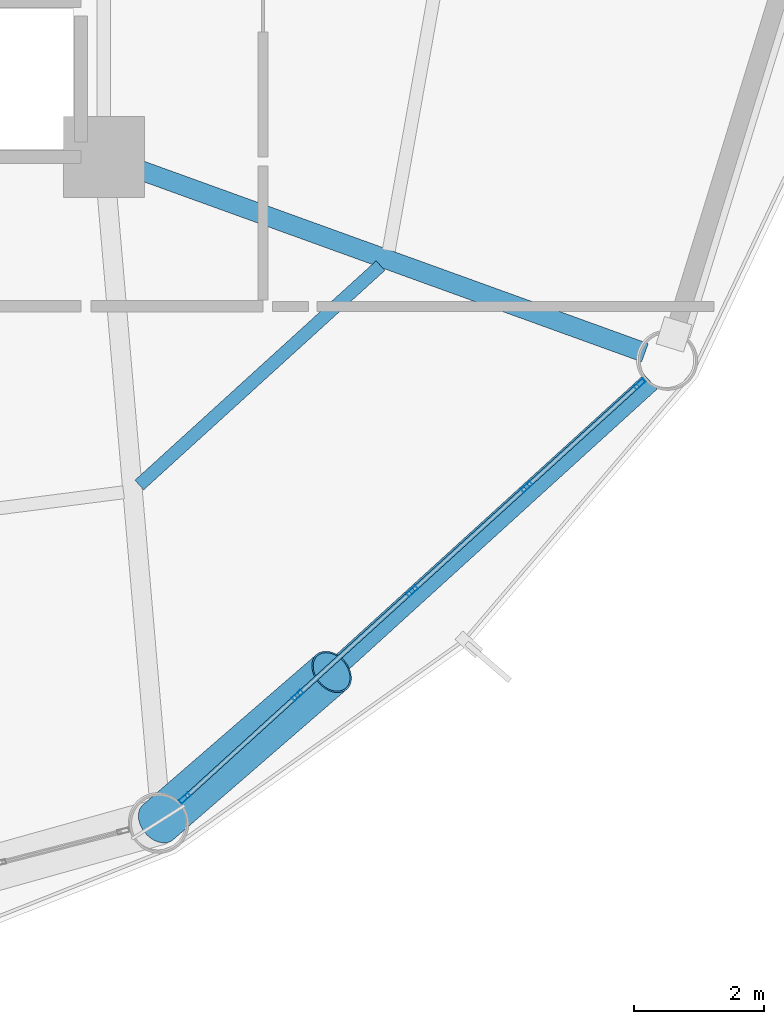
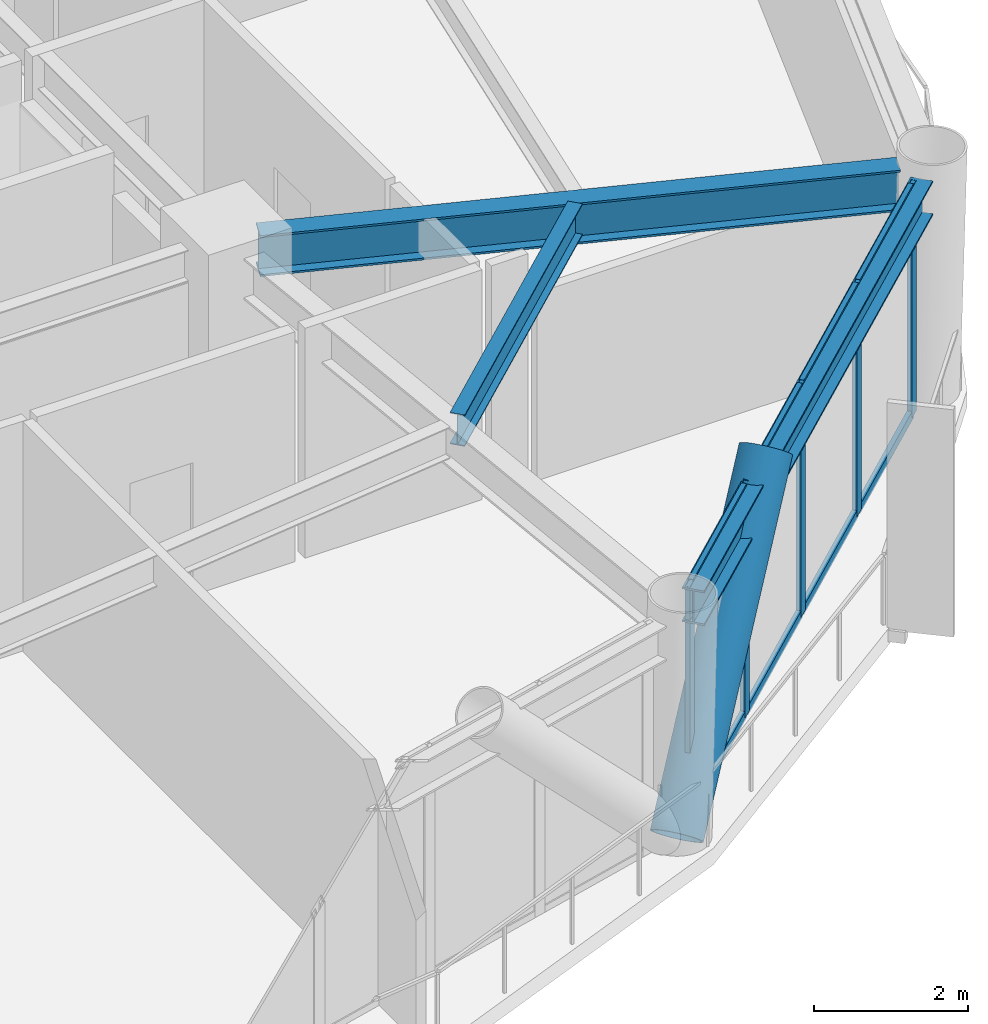
# One storey, part 12 of 25: 14 members, 3 beams, 1 element without a shape of its own.
"""IFC4 building model written with IfcOpenShell, lengths in metres."""

from ifc_helpers import new_model, si_unit, direction, frame, origin, origin_2d, place, context, subcontext, project, spatial, hollow_rectangle, hollow_circle, i_section, extrude, material, layer, layer_set, material_profile, profile_set, type_object, element, aggregate, save


model = new_model("IFC4")

# Units and contexts
model_context = context("Model", 3, precision=1e-05, world=origin(), true_north=direction((0.0, 1.0)))
body_context = subcontext(model_context, "Body", "Model", "MODEL_VIEW")
ifc_project = project(units=[si_unit("LENGTHUNIT", "METRE"), si_unit("AREAUNIT", "SQUARE_METRE"), si_unit("VOLUMEUNIT", "CUBIC_METRE"), si_unit("PLANEANGLEUNIT", "RADIAN"), si_unit("MASSUNIT", "GRAM", prefix="KILO")], contexts=[model_context])

# Site, building, storey
site_placement = place(None, origin())
site = spatial("IfcSite", under=ifc_project, at=site_placement, CompositionType="ELEMENT")
building_placement = place(site_placement, origin())
building = spatial("IfcBuilding", under=site, at=building_placement, Name="Varnakorn Sky Granary", CompositionType="ELEMENT")
storey_placement = place(building_placement, frame((0.0, 0.0, 62.699951171875)))
storey = spatial("IfcBuildingStorey", under=building, at=storey_placement, Name="L15", CompositionType="ELEMENT", Elevation=62.699951171875)

# Beams
ifc_material_1 = material(Name="Steel S355JR", Category="steel")
ifc_material_profile_1 = material_profile(ifc_material_1, i_section(OverallWidth=0.300048828125, OverallDepth=0.64990234375, WebThickness=0.01611328125, FlangeThickness=0.031005859375, at=origin_2d()), Name="HE 650 B")
ifc_profile_set_1 = profile_set([ifc_material_profile_1], Name="Steel S355JR")
beam_type_1 = type_object("IfcBeamType", Name="BM-RAD-Z1", PredefinedType="BEAM", material=ifc_profile_set_1)
beam_1_placement = place(storey_placement, frame((8.7451171875, -6.742919921875, 3.31494140625), z_axis=(0.940384100395, -0.34011430979, 0.0), x_axis=(0.34011430979, 0.940384100395, 0.0)))
element("IfcBeam", 1, at=beam_1_placement, inside=storey, type_object=beam_type_1, Name="Radial Floor Girder RG12 L15", PredefinedType="BEAM", context=body_context, shape_type="SweptSolid", body=[
    extrude(i_section(OverallWidth=0.300048828125, OverallDepth=0.64990234375, WebThickness=0.01611328125, FlangeThickness=0.031005859375, at=origin_2d()), origin(), (0.0, 0.0, 1.0), 8.439453125),
])
ifc_material_profile_2 = material_profile(ifc_material_1, i_section(OverallWidth=0.199951171875, OverallDepth=0.5, WebThickness=0.01025390625, FlangeThickness=0.01611328125, at=origin_2d()), Name="IPE 500")
ifc_profile_set_2 = profile_set([ifc_material_profile_2], Name="Steel S355JR")
beam_type_2 = type_object("IfcBeamType", Name="BM-SEC-Z1", PredefinedType="BEAM", material=ifc_profile_set_2)
beam_2_placement = place(storey_placement, frame((8.89599609375, -11.650390625, 3.39013671875), z_axis=(0.739726587735, 0.672907553382, 0.0), x_axis=(-0.672907553382, 0.739726587735, 0.0)))
element("IfcBeam", 2, at=beam_2_placement, inside=storey, type_object=beam_type_2, Name="Secondary Floor Chord Beam MSB11 L15", PredefinedType="BEAM", context=body_context, shape_type="SweptSolid", body=[
    extrude(i_section(OverallWidth=0.199951171875, OverallDepth=0.5, WebThickness=0.01025390625, FlangeThickness=0.01611328125, at=origin_2d()), origin(), (0.0, 0.0, 1.0), 5.020263671875),
])
ifc_material_profile_3 = material_profile(ifc_material_1, i_section(OverallWidth=0.300048828125, OverallDepth=0.550048828125, WebThickness=0.014892578125, FlangeThickness=0.029052734375, at=origin_2d()), Name="HE 550 B")
ifc_profile_set_3 = profile_set([ifc_material_profile_3], Name="Steel S355JR")
beam_type_3 = type_object("IfcBeamType", Name="BM-SPD-Z1", PredefinedType="SPANDREL", material=ifc_profile_set_3)
beam_3_placement = place(storey_placement, frame((9.56396484375, -16.613525390625, 3.364990234375), z_axis=(0.739849329856, 0.672772598365, 0.0), x_axis=(-0.672772598365, 0.739849329856, 0.0)))
element("IfcBeam", 3, at=beam_3_placement, inside=storey, type_object=beam_type_3, Name="Perimeter Spandrel Ring Beam RB11 L15", PredefinedType="SPANDREL", context=body_context, shape_type="SweptSolid", body=[
    extrude(i_section(OverallWidth=0.300048828125, OverallDepth=0.550048828125, WebThickness=0.014892578125, FlangeThickness=0.029052734375, at=origin_2d()), origin(), (0.0, 0.0, 1.0), 9.739990234375),
])

# Curtain wall, members
ifc_material_2 = material(Name="Anodised Bronze Aluminium Alloy 6063-T6", Category="aluminium")
ifc_layer = layer(ifc_material_2, 0.18994140625, Name="Anodised Bronze Aluminium Alloy 6063-T6")
ifc_layer_set = layer_set([ifc_layer], Name="Anodised Bronze Aluminium Alloy 6063-T6")
curtain_wall_type = type_object("IfcCurtainWallType", Name="CW-FRM-1", PredefinedType="USERDEFINED", material=ifc_layer_set)
curtain_wall_placement = place(storey_placement, origin())
curtain_wall = element("IfcCurtainWall", 4, at=curtain_wall_placement, inside=storey, type_object=curtain_wall_type, Name="Unitised Curtain Wall CW3 CW-L15-B11", ObjectType="CURTAIN WALL", PredefinedType="USERDEFINED")
ifc_material_profile_4 = material_profile(ifc_material_2, hollow_rectangle(XDim=0.070068359375, YDim=0.18505859375, WallThickness=0.00390625, at=origin_2d()), Name="ALU MULL 70x185")
ifc_profile_set_4 = profile_set([ifc_material_profile_4], Name="Anodised Bronze Aluminium Alloy 6063-T6")
member_type_1 = type_object("IfcMemberType", Name="CW-FRM-1-MULL", PredefinedType="MULLION", material=ifc_profile_set_4)
member_1_placement = place(storey_placement, frame((16.599609375, -10.095458984375, 0.0), z_axis=(0.0, 0.0, 1.0), x_axis=(0.673050871898, -0.739596189712, 0.0)))
member_1 = element("IfcMember", 5, at=member_1_placement, type_object=member_type_1, Name="CW3 mullion 1", PredefinedType="MULLION", context=body_context, shape_type="SweptSolid", body=[
    extrude(hollow_rectangle(XDim=0.070068359375, YDim=0.18505859375, WallThickness=0.00390625, at=origin_2d()), origin(), (0.0, 0.0, 1.0), 3.64013671875),
])
member_2_placement = place(storey_placement, frame((14.861083984375, -11.677734375, 0.0), z_axis=(0.0, 0.0, 1.0), x_axis=(0.673050871898, -0.739596189712, 0.0)))
member_2 = element("IfcMember", 6, at=member_2_placement, type_object=member_type_1, Name="CW3 mullion 2", PredefinedType="MULLION", context=body_context, shape_type="SweptSolid", body=[
    extrude(hollow_rectangle(XDim=0.070068359375, YDim=0.18505859375, WallThickness=0.00390625, at=origin_2d()), origin(), (0.0, 0.0, 1.0), 3.64013671875),
])
member_3_placement = place(storey_placement, frame((13.0966796875, -13.283203125, 0.0), z_axis=(0.0, 0.0, 1.0), x_axis=(0.673050871898, -0.739596189712, 0.0)))
member_3 = element("IfcMember", 7, at=member_3_placement, type_object=member_type_1, Name="CW3 mullion 3", PredefinedType="MULLION", context=body_context, shape_type="SweptSolid", body=[
    extrude(hollow_rectangle(XDim=0.070068359375, YDim=0.18505859375, WallThickness=0.00390625, at=origin_2d()), origin(), (0.0, 0.0, 1.0), 3.64013671875),
])
member_4_placement = place(storey_placement, frame((11.332275390625, -14.888916015625, 0.0), z_axis=(0.0, 0.0, 1.0), x_axis=(0.673050871898, -0.739596189712, 0.0)))
member_4 = element("IfcMember", 8, at=member_4_placement, type_object=member_type_1, Name="CW3 mullion 4", PredefinedType="MULLION", context=body_context, shape_type="SweptSolid", body=[
    extrude(hollow_rectangle(XDim=0.070068359375, YDim=0.18505859375, WallThickness=0.00390625, at=origin_2d()), origin(), (0.0, 0.0, 1.0), 3.64013671875),
])
member_5_placement = place(storey_placement, frame((9.59375, -16.470947265625, 0.0), z_axis=(0.0, 0.0, 1.0), x_axis=(0.673050871898, -0.739596189712, 0.0)))
member_5 = element("IfcMember", 9, at=member_5_placement, type_object=member_type_1, Name="CW3 mullion 5", PredefinedType="MULLION", context=body_context, shape_type="SweptSolid", body=[
    extrude(hollow_rectangle(XDim=0.070068359375, YDim=0.18505859375, WallThickness=0.00390625, at=origin_2d()), origin(), (0.0, 0.0, 1.0), 3.64013671875),
])
ifc_material_profile_5 = material_profile(ifc_material_2, hollow_rectangle(XDim=0.070068359375, YDim=0.139892578125, WallThickness=0.00341796875, at=origin_2d()), Name="ALU TRAN 70x140")
ifc_profile_set_5 = profile_set([ifc_material_profile_5], Name="Anodised Bronze Aluminium Alloy 6063-T6")
member_type_2 = type_object("IfcMemberType", Name="CW-FRM-1-TRAN", PredefinedType="USERDEFINED", material=ifc_profile_set_5)
member_6_placement = place(storey_placement, frame((16.57373046875, -10.119140625, 0.03515625), z_axis=(-0.739615443483, -0.673029713877, 0.0), x_axis=(0.673029713877, -0.739615443483, 0.0)))
member_6 = element("IfcMember", 10, at=member_6_placement, type_object=member_type_2, Name="CW3 transom 1.1", ObjectType="TRANSOM", PredefinedType="USERDEFINED", context=body_context, shape_type="SweptSolid", body=[
    extrude(hollow_rectangle(XDim=0.070068359375, YDim=0.139892578125, WallThickness=0.00341796875, at=origin_2d()), origin(), (0.0, 0.0, 1.0), 2.280517578125),
])
member_7_placement = place(storey_placement, frame((16.57373046875, -10.119140625, 3.60498046875), z_axis=(-0.739615443483, -0.673029713877, 0.0), x_axis=(0.673029713877, -0.739615443483, 0.0)))
member_7 = element("IfcMember", 11, at=member_7_placement, type_object=member_type_2, Name="CW3 transom 1.2", ObjectType="TRANSOM", PredefinedType="USERDEFINED", context=body_context, shape_type="SweptSolid", body=[
    extrude(hollow_rectangle(XDim=0.070068359375, YDim=0.139892578125, WallThickness=0.00341796875, at=origin_2d()), origin(), (0.0, 0.0, 1.0), 2.280517578125),
])
member_8_placement = place(storey_placement, frame((14.835205078125, -11.701171875, 0.03515625), z_axis=(-0.739586950118, -0.673061024882, 0.0), x_axis=(0.673061024882, -0.739586950118, 0.0)))
member_8 = element("IfcMember", 12, at=member_8_placement, type_object=member_type_2, Name="CW3 transom 2.1", ObjectType="TRANSOM", PredefinedType="USERDEFINED", context=body_context, shape_type="SweptSolid", body=[
    extrude(hollow_rectangle(XDim=0.070068359375, YDim=0.139892578125, WallThickness=0.00341796875, at=origin_2d()), origin(), (0.0, 0.0, 1.0), 2.315673828125),
])
member_9_placement = place(storey_placement, frame((14.835205078125, -11.701171875, 3.60498046875), z_axis=(-0.739586950118, -0.673061024882, 0.0), x_axis=(0.673061024882, -0.739586950118, 0.0)))
member_9 = element("IfcMember", 13, at=member_9_placement, type_object=member_type_2, Name="CW3 transom 2.2", ObjectType="TRANSOM", PredefinedType="USERDEFINED", context=body_context, shape_type="SweptSolid", body=[
    extrude(hollow_rectangle(XDim=0.070068359375, YDim=0.139892578125, WallThickness=0.00341796875, at=origin_2d()), origin(), (0.0, 0.0, 1.0), 2.315673828125),
])
member_10_placement = place(storey_placement, frame((13.07080078125, -13.306884765625, 0.03515625), z_axis=(-0.739639432973, -0.673003350059, 0.0), x_axis=(0.673003350059, -0.739639432973, 0.0)))
member_10 = element("IfcMember", 14, at=member_10_placement, type_object=member_type_2, Name="CW3 transom 3.1", ObjectType="TRANSOM", PredefinedType="USERDEFINED", context=body_context, shape_type="SweptSolid", body=[
    extrude(hollow_rectangle(XDim=0.070068359375, YDim=0.139892578125, WallThickness=0.00341796875, at=origin_2d()), origin(), (0.0, 0.0, 1.0), 2.3154296875),
])
member_11_placement = place(storey_placement, frame((13.07080078125, -13.306884765625, 3.60498046875), z_axis=(-0.739639432973, -0.673003350059, 0.0), x_axis=(0.673003350059, -0.739639432973, 0.0)))
member_11 = element("IfcMember", 15, at=member_11_placement, type_object=member_type_2, Name="CW3 transom 3.2", ObjectType="TRANSOM", PredefinedType="USERDEFINED", context=body_context, shape_type="SweptSolid", body=[
    extrude(hollow_rectangle(XDim=0.070068359375, YDim=0.139892578125, WallThickness=0.00341796875, at=origin_2d()), origin(), (0.0, 0.0, 1.0), 2.3154296875),
])
member_12_placement = place(storey_placement, frame((11.306396484375, -14.912353515625, 0.03515625), z_axis=(-0.739615443483, -0.673029713877, 0.0), x_axis=(0.673029713877, -0.739615443483, 0.0)))
member_12 = element("IfcMember", 16, at=member_12_placement, type_object=member_type_2, Name="CW3 transom 4.1", ObjectType="TRANSOM", PredefinedType="USERDEFINED", context=body_context, shape_type="SweptSolid", body=[
    extrude(hollow_rectangle(XDim=0.070068359375, YDim=0.139892578125, WallThickness=0.00341796875, at=origin_2d()), origin(), (0.0, 0.0, 1.0), 2.280517578125),
])
member_13_placement = place(storey_placement, frame((11.306396484375, -14.912353515625, 3.60498046875), z_axis=(-0.739615443483, -0.673029713877, 0.0), x_axis=(0.673029713877, -0.739615443483, 0.0)))
member_13 = element("IfcMember", 17, at=member_13_placement, type_object=member_type_2, Name="CW3 transom 4.2", ObjectType="TRANSOM", PredefinedType="USERDEFINED", context=body_context, shape_type="SweptSolid", body=[
    extrude(hollow_rectangle(XDim=0.070068359375, YDim=0.139892578125, WallThickness=0.00341796875, at=origin_2d()), origin(), (0.0, 0.0, 1.0), 2.280517578125),
])
aggregate(curtain_wall, [member_1, member_2, member_3, member_4, member_5, member_6, member_7, member_8, member_9, member_10, member_11, member_12, member_13])

# Member
ifc_material_3 = material(Name="Steel S460M", Category="steel")
ifc_material_profile_6 = material_profile(ifc_material_3, hollow_circle(Radius=0.35546875, WallThickness=0.02490234375, at=origin_2d()), Name="CHS 711x25")
ifc_profile_set_6 = profile_set([ifc_material_profile_6], Name="Steel S460M")
member_type_3 = type_object("IfcMemberType", Name="MB-DIAG-T0", PredefinedType="BRACE", material=ifc_profile_set_6)
member_14_placement = place(storey_placement, frame((9.185546875, -16.842529296875, 0.0), z_axis=(0.515482522436, 0.446559936956, 0.731342595347), x_axis=(-0.654770106365, 0.755828094087, 0.0)))
element("IfcMember", 18, at=member_14_placement, inside=storey, type_object=member_type_3, Name="Perimeter CHS Diagrid Brace DG11 L15", PredefinedType="BRACE", context=body_context, shape_type="SweptSolid", body=[
    extrude(hollow_circle(Radius=0.35546875, WallThickness=0.02490234375, at=origin_2d()), origin(), (0.0, 0.0, 1.0), 5.182373046875),
])

save(model, "model.ifc")
